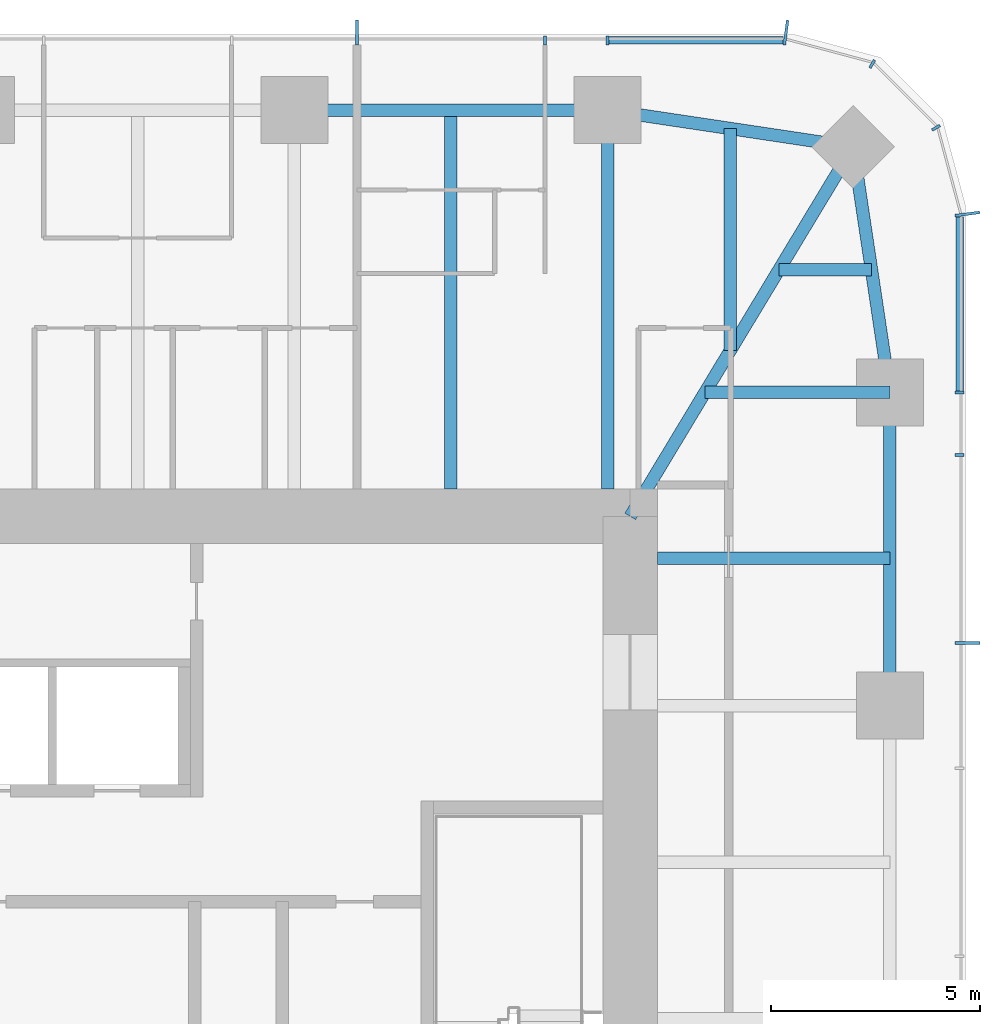
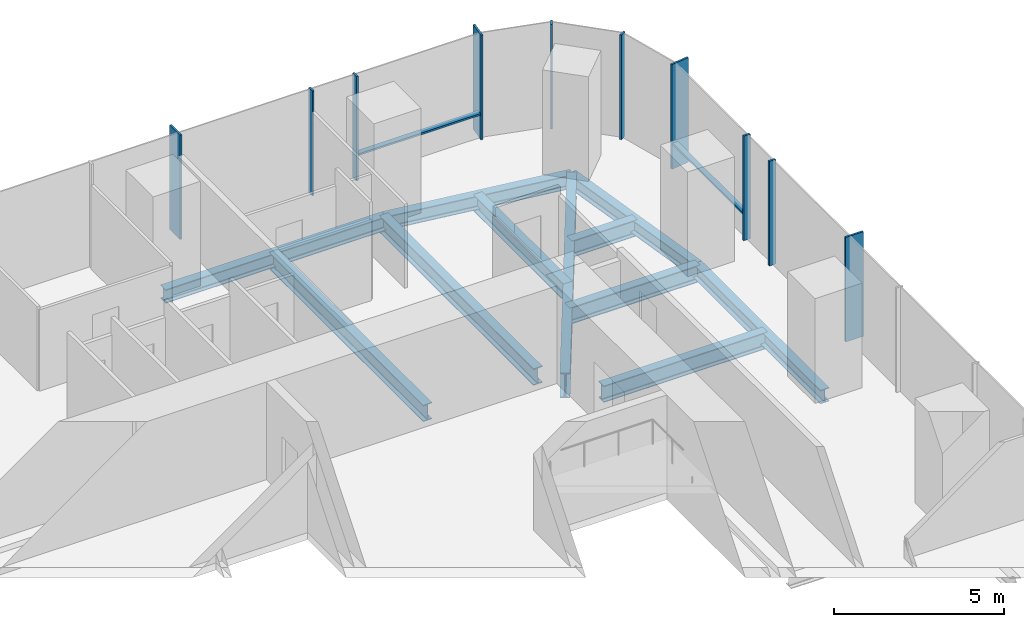
# One storey, part 6 of 12: 12 members, 11 beams, 3 elements without a shape of their own.
"""IFC4 building model written with IfcOpenShell, lengths in metres."""

from ifc_helpers import new_model, si_unit, direction, frame, origin, origin_2d, place, context, subcontext, project, spatial, rectangle, i_section, extrude, material, material_profile, profile_set, type_object, element, aggregate, save


model = new_model("IFC4")

# Units and contexts
model_context = context("Model", 3, precision=1e-05, world=origin(), true_north=direction((0.0, 1.0)))
body_context = subcontext(model_context, "Body", "Model", "MODEL_VIEW")
ifc_project = project(units=[si_unit("LENGTHUNIT", "METRE"), si_unit("AREAUNIT", "SQUARE_METRE"), si_unit("VOLUMEUNIT", "CUBIC_METRE"), si_unit("PLANEANGLEUNIT", "RADIAN"), si_unit("MASSUNIT", "GRAM", prefix="KILO")], contexts=[model_context])

# Site, building, storey
site_placement = place(None, origin())
site = spatial("IfcSite", under=ifc_project, at=site_placement, CompositionType="ELEMENT")
building_placement = place(site_placement, origin())
building = spatial("IfcBuilding", under=site, at=building_placement, Name="Khuree Lantern Residences", CompositionType="ELEMENT")
storey_placement = place(building_placement, frame((0.0, 0.0, 315.75)))
storey = spatial("IfcBuildingStorey", under=building, at=storey_placement, Name="L79", CompositionType="ELEMENT", Elevation=315.75)

# Beams
ifc_material_1 = material(Name="Steel S355", Category="steel")
ifc_material_profile_1 = material_profile(ifc_material_1, i_section(OverallWidth=0.300048828125, OverallDepth=0.590087890625, WebThickness=0.012939453125, FlangeThickness=0.02490234375, FilletRadius=0.027099609375, at=origin_2d()), Name="HE 600 A")
ifc_profile_set_1 = profile_set([ifc_material_profile_1], Name="Steel S355")
beam_type_1 = type_object("IfcBeamType", Name="B-43 SECONDARY BEAM HE 600 A", PredefinedType="BEAM", material=ifc_profile_set_1)
beam_1_placement = place(storey_placement, frame((11.219970703125, 21.699951171875, -0.544921875), z_axis=(0.0, -1.0, 0.0), x_axis=(1.0, 0.0, 0.0)))
element("IfcBeam", 1, at=beam_1_placement, inside=storey, type_object=beam_type_1, Name="Secondary beam N4", PredefinedType="BEAM", context=body_context, shape_type="SweptSolid", body=[
    extrude(i_section(OverallWidth=0.300048828125, OverallDepth=0.590087890625, WebThickness=0.012939453125, FlangeThickness=0.02490234375, FilletRadius=0.027099609375, at=origin_2d()), origin(), (0.0, 0.0, 1.0), 9.050048828125),
])
beam_2_placement = place(storey_placement, frame((17.890625, 21.2607421875, -0.544921875), z_axis=(0.0, -1.0, 0.0), x_axis=(1.0, 0.0, 0.0)))
element("IfcBeam", 2, at=beam_2_placement, inside=storey, type_object=beam_type_1, Name="Secondary beam N5", PredefinedType="BEAM", context=body_context, shape_type="SweptSolid", body=[
    extrude(i_section(OverallWidth=0.300048828125, OverallDepth=0.590087890625, WebThickness=0.012939453125, FlangeThickness=0.02490234375, FilletRadius=0.027099609375, at=origin_2d()), origin(), (0.0, 0.0, 1.0), 5.297607421875),
])
beam_3_placement = place(storey_placement, frame((21.2607421875, 17.890625, -0.544921875), z_axis=(-1.0, 0.0, 0.0), x_axis=(0.0, -1.0, 0.0)))
element("IfcBeam", 3, at=beam_3_placement, inside=storey, type_object=beam_type_1, Name="Secondary beam E1", PredefinedType="BEAM", context=body_context, shape_type="SweptSolid", body=[
    extrude(i_section(OverallWidth=0.300048828125, OverallDepth=0.590087890625, WebThickness=0.012939453125, FlangeThickness=0.02490234375, FilletRadius=0.027099609375, at=origin_2d()), origin(), (0.0, 0.0, 1.0), 2.207275390625),
])
beam_4_placement = place(storey_placement, frame((21.699951171875, 11.0, -0.544921875), z_axis=(-1.0, 0.0, 0.0), x_axis=(0.0, -1.0, 0.0)))
element("IfcBeam", 4, at=beam_4_placement, inside=storey, type_object=beam_type_1, Name="Secondary beam E2", PredefinedType="BEAM", context=body_context, shape_type="SweptSolid", body=[
    extrude(i_section(OverallWidth=0.300048828125, OverallDepth=0.590087890625, WebThickness=0.012939453125, FlangeThickness=0.02490234375, FilletRadius=0.027099609375, at=origin_2d()), origin(), (0.0, 0.0, 1.0), 5.550048828125),
])
ifc_material_profile_2 = material_profile(ifc_material_1, i_section(OverallWidth=0.300048828125, OverallDepth=0.489990234375, WebThickness=0.011962890625, FlangeThickness=0.02294921875, FilletRadius=0.027099609375, at=origin_2d()), Name="HE 500 A")
ifc_profile_set_2 = profile_set([ifc_material_profile_2], Name="Steel S355")
beam_type_2 = type_object("IfcBeamType", Name="E-43 SPANDREL BEAM HE 500 A", PredefinedType="SPANDREL", material=ifc_profile_set_2)
beam_5_placement = place(storey_placement, frame((7.47998046875, 21.699951171875, -0.4951171875), z_axis=(1.0, 0.0, 0.0), x_axis=(0.0, 1.0, 0.0)))
element("IfcBeam", 5, at=beam_5_placement, inside=storey, type_object=beam_type_2, Name="Spandrel beam N4", PredefinedType="SPANDREL", context=body_context, shape_type="SweptSolid", body=[
    extrude(i_section(OverallWidth=0.300048828125, OverallDepth=0.489990234375, WebThickness=0.011962890625, FlangeThickness=0.02294921875, FilletRadius=0.027099609375, at=origin_2d()), origin(), (0.0, 0.0, 1.0), 7.47998046875),
])
for number, where, z_axis, x_axis, name in (
    (6, (14.9599609375, 21.699951171875, -0.4951171875), (0.988949643299, -0.148251822985, 0.0), (0.148251822985, 0.988949643299, 0.0), "Spandrel beam N5"),
    (7, (20.8212890625, 20.8212890625, -0.4951171875), (0.148251822985, -0.988949643299, 0.0), (0.988949643299, 0.148251822985, 0.0), "Spandrel beam E1"),
):
    element("IfcBeam", number, at=place(storey_placement, frame(where, z_axis=z_axis, x_axis=x_axis)), inside=storey, type_object=beam_type_2, Name=name, PredefinedType="SPANDREL", context=body_context, shape_type="SweptSolid", body=[
        extrude(i_section(OverallWidth=0.300048828125, OverallDepth=0.489990234375, WebThickness=0.011962890625, FlangeThickness=0.02294921875, FilletRadius=0.027099609375, at=origin_2d()), origin(), (0.0, 0.0, 1.0), 5.9267578125),
    ])
beam_6_placement = place(storey_placement, frame((21.699951171875, 14.9599609375, -0.4951171875), z_axis=(0.0, -1.0, 0.0), x_axis=(1.0, 0.0, 0.0)))
element("IfcBeam", 8, at=beam_6_placement, inside=storey, type_object=beam_type_2, Name="Spandrel beam E2", PredefinedType="SPANDREL", context=body_context, shape_type="SweptSolid", body=[
    extrude(i_section(OverallWidth=0.300048828125, OverallDepth=0.489990234375, WebThickness=0.011962890625, FlangeThickness=0.02294921875, FilletRadius=0.027099609375, at=origin_2d()), origin(), (0.0, 0.0, 1.0), 7.47998046875),
])

# Curtain wall, member
ifc_material_2 = material(Name="Bronze anodised aluminium", Category="aluminium")
curtain_wall_type_1 = type_object("IfcCurtainWallType", Name="CW-T1 TOWER FACE CURTAIN WALL", PredefinedType="USERDEFINED", material=ifc_material_2)
curtain_wall_1_placement = place(storey_placement, origin())
curtain_wall_1 = element("IfcCurtainWall", 9, at=curtain_wall_1_placement, inside=storey, type_object=curtain_wall_type_1, Name="L79 EAST FACE CURTAIN WALL", ObjectType="Stick-built curtain wall", PredefinedType="USERDEFINED")
ifc_material_profile_3 = material_profile(ifc_material_2, rectangle(XDim=0.06494140625, YDim=0.60009765625, at=origin_2d()), Name="F1 65X600")
ifc_profile_set_3 = profile_set([ifc_material_profile_3], Name="Bronze anodised aluminium")
member_type_1 = type_object("IfcMemberType", Name="F1 BRONZE FIN MULLION TOWER 65X600", PredefinedType="MULLION", material=ifc_profile_set_3)
member_1_placement = place(storey_placement, frame((23.550048828125, 8.97607421875, 0.0), z_axis=(0.0, 0.0, 1.0), x_axis=(0.0, 1.0, 0.0)))
member_1 = element("IfcMember", 10, at=member_1_placement, type_object=member_type_1, Name="L79 EAST FACE FIN MULLION 12", PredefinedType="MULLION", context=body_context, shape_type="SweptSolid", body=[
    extrude(rectangle(XDim=0.06494140625, YDim=0.60009765625, at=origin_2d()), origin(), (0.0, 0.0, 1.0), 3.75),
])

curtain_wall_type_2 = type_object("IfcCurtainWallType", Name="CW-T2 TOWER CORNER CURTAIN WALL", PredefinedType="USERDEFINED", material=ifc_material_2)
curtain_wall_2_placement = place(storey_placement, origin())
curtain_wall_2 = element("IfcCurtainWall", 11, at=curtain_wall_2_placement, inside=storey, type_object=curtain_wall_type_2, Name="L79 NORTH-EAST CORNER CURTAIN WALL", ObjectType="Faceted corner curtain wall", PredefinedType="USERDEFINED")
member_2_placement = place(storey_placement, frame((23.550048828125, 19.2197265625, 0.0), z_axis=(0.0, 0.0, 1.0), x_axis=(-0.130526125236, 0.991444870192, 0.0)))
member_2 = element("IfcMember", 12, at=member_2_placement, type_object=member_type_1, Name="L79 NORTH-EAST CORNER FIN MULLION 15", PredefinedType="MULLION", context=body_context, shape_type="SweptSolid", body=[
    extrude(rectangle(XDim=0.06494140625, YDim=0.60009765625, at=origin_2d()), origin(), (0.0, 0.0, 1.0), 3.75),
])

# Curtain wall, members
curtain_wall_3_placement = place(storey_placement, origin())
curtain_wall_3 = element("IfcCurtainWall", 13, at=curtain_wall_3_placement, inside=storey, type_object=curtain_wall_type_1, Name="L79 NORTH FACE CURTAIN WALL", ObjectType="Stick-built curtain wall", PredefinedType="USERDEFINED")
member_3_placement = place(storey_placement, frame((19.2197265625, 23.550048828125, 0.0), z_axis=(0.0, 0.0, 1.0), x_axis=(-0.991444870192, 0.130526125236, 0.0)))
member_3 = element("IfcMember", 14, at=member_3_placement, type_object=member_type_1, Name="L79 NORTH FACE FIN MULLION 18", PredefinedType="MULLION", context=body_context, shape_type="SweptSolid", body=[
    extrude(rectangle(XDim=0.06494140625, YDim=0.60009765625, at=origin_2d()), origin(), (0.0, 0.0, 1.0), 3.75),
])
member_4_placement = place(storey_placement, frame((8.97607421875, 23.550048828125, 0.0), z_axis=(0.0, 0.0, 1.0), x_axis=(-1.0, 0.0, 0.0)))
member_4 = element("IfcMember", 15, at=member_4_placement, type_object=member_type_1, Name="L79 NORTH FACE FIN MULLION 21", PredefinedType="MULLION", context=body_context, shape_type="SweptSolid", body=[
    extrude(rectangle(XDim=0.06494140625, YDim=0.60009765625, at=origin_2d()), origin(), (0.0, 0.0, 1.0), 3.75),
])

# Beams
ifc_material_profile_4 = material_profile(ifc_material_1, i_section(OverallWidth=0.300048828125, OverallDepth=0.60009765625, WebThickness=0.015380859375, FlangeThickness=0.030029296875, FilletRadius=0.027099609375, at=origin_2d()), Name="HE 600 B")
ifc_profile_set_4 = profile_set([ifc_material_profile_4], Name="Steel S355")
beam_type_3 = type_object("IfcBeamType", Name="G-43 GIRDER HE 600 B", PredefinedType="BEAM", material=ifc_profile_set_4)
beam_7_placement = place(storey_placement, frame((14.9599609375, 21.699951171875, -0.550048828125), z_axis=(0.0, -1.0, 0.0), x_axis=(1.0, 0.0, 0.0)))
element("IfcBeam", 16, at=beam_7_placement, inside=storey, type_object=beam_type_3, Name="Girder N5", PredefinedType="BEAM", context=body_context, shape_type="SweptSolid", body=[
    extrude(i_section(OverallWidth=0.300048828125, OverallDepth=0.60009765625, WebThickness=0.015380859375, FlangeThickness=0.030029296875, FilletRadius=0.027099609375, at=origin_2d()), origin(), (0.0, 0.0, 1.0), 9.050048828125),
])
beam_8_placement = place(storey_placement, frame((21.699951171875, 14.9599609375, -0.550048828125), z_axis=(-1.0, 0.0, 0.0), x_axis=(0.0, -1.0, 0.0)))
element("IfcBeam", 17, at=beam_8_placement, inside=storey, type_object=beam_type_3, Name="Girder E1", PredefinedType="BEAM", context=body_context, shape_type="SweptSolid", body=[
    extrude(i_section(OverallWidth=0.300048828125, OverallDepth=0.60009765625, WebThickness=0.015380859375, FlangeThickness=0.030029296875, FilletRadius=0.027099609375, at=origin_2d()), origin(), (0.0, 0.0, 1.0), 4.414306640625),
])
ifc_material_profile_5 = material_profile(ifc_material_1, i_section(OverallWidth=0.300048828125, OverallDepth=0.89990234375, WebThickness=0.0185546875, FlangeThickness=0.034912109375, FilletRadius=0.030029296875, at=origin_2d()), Name="HE 900 B")
ifc_profile_set_5 = profile_set([ifc_material_profile_5], Name="Steel S355")
beam_type_4 = type_object("IfcBeamType", Name="GD-43 CORNER GIRDER HE 900 B", PredefinedType="BEAM", material=ifc_profile_set_5)
beam_9_placement = place(storey_placement, frame((20.8212890625, 20.8212890625, -0.699951171875), z_axis=(-0.516529577604, -0.856269347495, 0.0), x_axis=(0.856269347495, -0.516529577604, 0.0)))
element("IfcBeam", 18, at=beam_9_placement, inside=storey, type_object=beam_type_4, Name="Corner girder NE", PredefinedType="BEAM", context=body_context, shape_type="SweptSolid", body=[
    extrude(i_section(OverallWidth=0.300048828125, OverallDepth=0.89990234375, WebThickness=0.0185546875, FlangeThickness=0.034912109375, FilletRadius=0.030029296875, at=origin_2d()), origin(), (0.0, 0.0, 1.0), 10.302001953125),
])

# Member
ifc_material_profile_6 = material_profile(ifc_material_2, rectangle(XDim=0.06494140625, YDim=0.219970703125, at=origin_2d()), Name="M1 65X220")
ifc_profile_set_6 = profile_set([ifc_material_profile_6], Name="Bronze anodised aluminium")
member_type_2 = type_object("IfcMemberType", Name="M1 BRONZE MULLION TOWER 65X220", PredefinedType="MULLION", material=ifc_profile_set_6)
member_5_placement = place(storey_placement, frame((23.360107421875, 13.464111328125, 0.0), z_axis=(0.0, 0.0, 1.0), x_axis=(0.0, 1.0, 0.0)))
member_5 = element("IfcMember", 19, at=member_5_placement, type_object=member_type_2, Name="L79 EAST FACE MULLION 13", PredefinedType="MULLION", context=body_context, shape_type="SweptSolid", body=[
    extrude(rectangle(XDim=0.06494140625, YDim=0.219970703125, at=origin_2d()), origin(), (0.0, 0.0, 1.0), 3.75),
])

member_6_placement = place(storey_placement, frame((23.360107421875, 14.9599609375, 0.0), z_axis=(0.0, 0.0, 1.0), x_axis=(0.0, 1.0, 0.0)))
member_6 = element("IfcMember", 20, at=member_6_placement, type_object=member_type_2, Name="L79 EAST FACE MULLION 14", PredefinedType="MULLION", context=body_context, shape_type="SweptSolid", body=[
    extrude(rectangle(XDim=0.06494140625, YDim=0.219970703125, at=origin_2d()), origin(), (0.0, 0.0, 1.0), 3.75),
])

member_7_placement = place(storey_placement, frame((22.802734375, 21.280029296875, 0.0), z_axis=(0.0, 0.0, 1.0), x_axis=(-0.49999994149, 0.866025437565, 0.0)))
member_7 = element("IfcMember", 21, at=member_7_placement, type_object=member_type_2, Name="L79 NORTH-EAST CORNER MULLION 16", PredefinedType="MULLION", context=body_context, shape_type="SweptSolid", body=[
    extrude(rectangle(XDim=0.06494140625, YDim=0.219970703125, at=origin_2d()), origin(), (0.0, 0.0, 1.0), 3.75),
])

member_8_placement = place(storey_placement, frame((21.280029296875, 22.802734375, 0.0), z_axis=(0.0, 0.0, 1.0), x_axis=(-0.866025437565, 0.49999994149, 0.0)))
member_8 = element("IfcMember", 22, at=member_8_placement, type_object=member_type_2, Name="L79 NORTH-EAST CORNER MULLION 17", PredefinedType="MULLION", context=body_context, shape_type="SweptSolid", body=[
    extrude(rectangle(XDim=0.06494140625, YDim=0.219970703125, at=origin_2d()), origin(), (0.0, 0.0, 1.0), 3.75),
])

aggregate(curtain_wall_2, [member_2, member_7, member_8])

member_9_placement = place(storey_placement, frame((14.9599609375, 23.360107421875, 0.0), z_axis=(0.0, 0.0, 1.0), x_axis=(-1.0, 0.0, 0.0)))
member_9 = element("IfcMember", 23, at=member_9_placement, type_object=member_type_2, Name="L79 NORTH FACE MULLION 19", PredefinedType="MULLION", context=body_context, shape_type="SweptSolid", body=[
    extrude(rectangle(XDim=0.06494140625, YDim=0.219970703125, at=origin_2d()), origin(), (0.0, 0.0, 1.0), 3.75),
])

member_10_placement = place(storey_placement, frame((13.464111328125, 23.360107421875, 0.0), z_axis=(0.0, 0.0, 1.0), x_axis=(-1.0, 0.0, 0.0)))
member_10 = element("IfcMember", 24, at=member_10_placement, type_object=member_type_2, Name="L79 NORTH FACE MULLION 20", PredefinedType="MULLION", context=body_context, shape_type="SweptSolid", body=[
    extrude(rectangle(XDim=0.06494140625, YDim=0.219970703125, at=origin_2d()), origin(), (0.0, 0.0, 1.0), 3.75),
])

ifc_material_profile_7 = material_profile(ifc_material_2, rectangle(XDim=0.179931640625, YDim=0.06494140625, at=origin_2d()), Name="T1 180X65")
ifc_profile_set_7 = profile_set([ifc_material_profile_7], Name="Bronze anodised aluminium")
member_type_3 = type_object("IfcMemberType", Name="TRANSOM T1 TOWER 180X65", PredefinedType="USERDEFINED", material=ifc_profile_set_7)
member_11_placement = place(storey_placement, frame((23.3701171875, 14.992431640625, 0.89990234375), z_axis=(0.0, 1.0, 0.0), x_axis=(-1.0, 0.0, 0.0)))
member_11 = element("IfcMember", 25, at=member_11_placement, type_object=member_type_3, Name="L79 EAST FACE TRANSOM 14.1", ObjectType="Transom", PredefinedType="USERDEFINED", context=body_context, shape_type="SweptSolid", body=[
    extrude(rectangle(XDim=0.179931640625, YDim=0.06494140625, at=origin_2d()), origin(), (0.0, 0.0, 1.0), 4.158935546875),
])

aggregate(curtain_wall_1, [member_1, member_5, member_6, member_11])

member_12_placement = place(storey_placement, frame((19.1513671875, 23.3701171875, 0.89990234375), z_axis=(-1.0, 0.0, 0.0), x_axis=(0.0, -1.0, 0.0)))
member_12 = element("IfcMember", 26, at=member_12_placement, type_object=member_type_3, Name="L79 NORTH FACE TRANSOM 18.1", ObjectType="Transom", PredefinedType="USERDEFINED", context=body_context, shape_type="SweptSolid", body=[
    extrude(rectangle(XDim=0.179931640625, YDim=0.06494140625, at=origin_2d()), origin(), (0.0, 0.0, 1.0), 4.158935546875),
])

aggregate(curtain_wall_3, [member_3, member_9, member_10, member_4, member_12])

save(model, "model.ifc")
